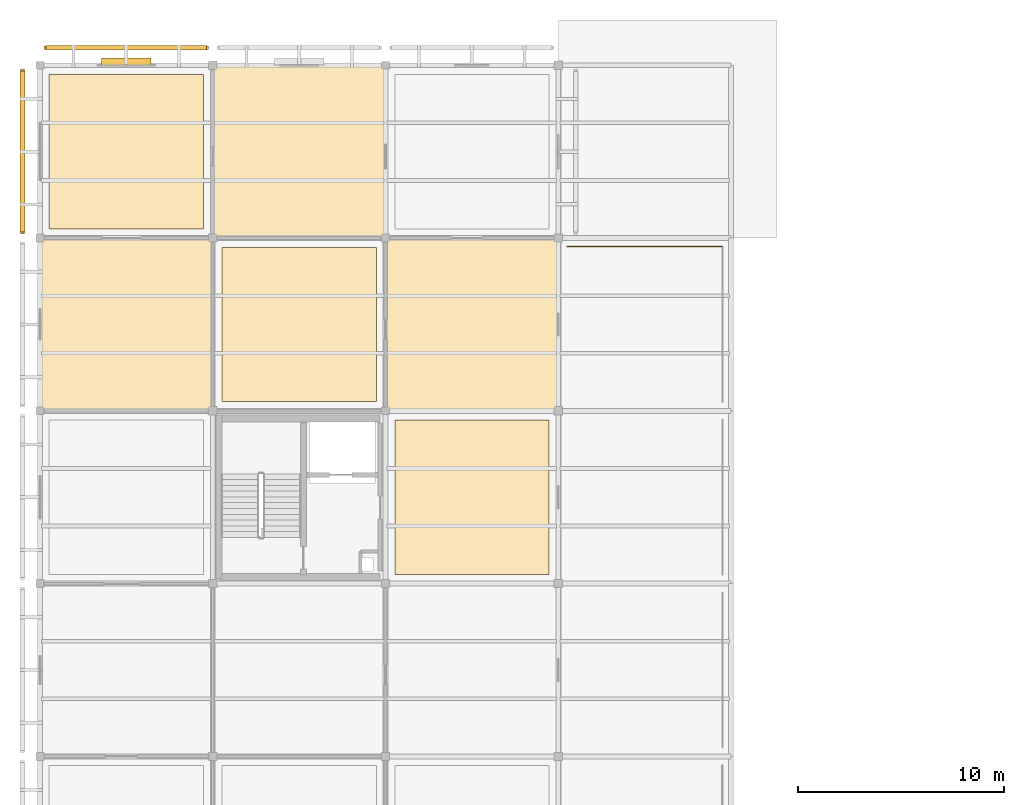
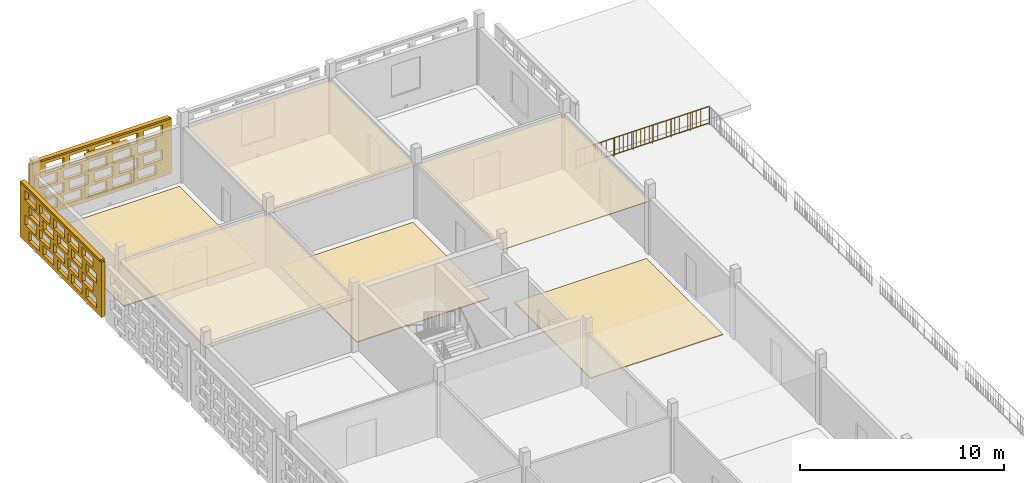
# One storey, part 29 of 31: 8 coverings, 3 shading devices, 1 railing, 40 openings.
"""IFC4 building model written with IfcOpenShell, lengths in metres."""

from ifc_helpers import new_model, si_unit, direction, frame, frame_2d, origin, origin_2d, place, context, subcontext, project, spatial, rectangle, circle, extrude, material, layer, layer_set, type_object, element, save


model = new_model("IFC4")

# Units and contexts
model_context = context("Model", 3, precision=1e-05, world=origin(), true_north=direction((0.0, 1.0)))
body_context = subcontext(model_context, "Body", "Model", "MODEL_VIEW")
ifc_project = project(units=[si_unit("LENGTHUNIT", "METRE"), si_unit("AREAUNIT", "SQUARE_METRE"), si_unit("VOLUMEUNIT", "CUBIC_METRE"), si_unit("PLANEANGLEUNIT", "RADIAN"), si_unit("MASSUNIT", "GRAM", prefix="KILO")], contexts=[model_context])

# Site, building, storey
site_placement = place(None, origin())
site = spatial("IfcSite", under=ifc_project, at=site_placement, CompositionType="ELEMENT")
building_placement = place(site_placement, origin())
building = spatial("IfcBuilding", under=site, at=building_placement, Name="Varnapada Polytechnic", CompositionType="ELEMENT")
storey_placement = place(building_placement, frame((0.0, 0.0, 22.199951171875)))
storey = spatial("IfcBuildingStorey", under=building, at=storey_placement, Name="L05", CompositionType="ELEMENT", Elevation=22.199951171875)

# Coverings
ifc_material_1 = material(Name="End-Grain Timber Studio Block Flooring", Category="wood")
ifc_layer_1 = layer(ifc_material_1, 0.054931640625)
ifc_layer_set_1 = layer_set([ifc_layer_1], Name="End-Grain Timber Studio Block Flooring")
covering_type_1 = type_object("IfcCoveringType", Name="Floor Finish FLR-04", PredefinedType="FLOORING", material=ifc_layer_set_1)
for number, where, z_axis, x_axis, name in (
    (1, (4.199951171875, 121.800048828125, 0.0), (0.0, 0.0, 1.0), (1.0, 0.0, 0.0), "L05 floor finish panel (1,15)"),
    (2, (12.60009765625, 113.39990234375, 0.0), (0.0, 0.0, 1.0), (1.0, 0.0, 0.0), "L05 floor finish panel (2,14)"),
):
    element("IfcCovering", number, at=place(storey_placement, frame(where, z_axis=z_axis, x_axis=x_axis)), inside=storey, type_object=covering_type_1, Name=name, PredefinedType="FLOORING", context=body_context, shape_type="SweptSolid", body=[
        extrude(rectangle(XDim=7.5, YDim=7.5, at=origin_2d()), origin(), (0.0, 0.0, 1.0), 0.054931640625),
    ])
ifc_material_2 = material(Name="Acoustic Rubber Seminar Flooring")
ifc_layer_2 = layer(ifc_material_2, 0.0400390625)
ifc_layer_set_2 = layer_set([ifc_layer_2], Name="Acoustic Rubber Seminar Flooring")
covering_type_2 = type_object("IfcCoveringType", Name="Floor Finish FLR-06", PredefinedType="FLOORING", material=ifc_layer_set_2)
covering_1_placement = place(storey_placement, frame((21.0, 105.0, 0.0), z_axis=(0.0, 0.0, 1.0), x_axis=(1.0, 0.0, 0.0)))
element("IfcCovering", 3, at=covering_1_placement, inside=storey, type_object=covering_type_2, Name="L05 floor finish panel (3,13)", PredefinedType="FLOORING", context=body_context, shape_type="SweptSolid", body=[
    extrude(rectangle(XDim=7.5, YDim=7.5, at=origin_2d()), origin(), (0.0, 0.0, 1.0), 0.0400390625),
])

# Shading device
ifc_material_3 = material(Name="Anodised aluminium", Category="aluminium")
ifc_layer_3 = layer(ifc_material_3, 0.35009765625)
ifc_layer_set_3 = layer_set([ifc_layer_3], Name="Anodised aluminium")
shading_device_type_1 = type_object("IfcShadingDeviceType", Name="Solar Louvre LVR-01", PredefinedType="JALOUSIE", material=ifc_layer_set_3)
shading_device_1_placement = place(storey_placement, frame((4.195068359375, 126.179931640625, 3.159912109375), z_axis=(0.0, 0.0, 1.0), x_axis=(1.0, 0.0, 0.0)))
element("IfcShadingDevice", 4, at=shading_device_1_placement, inside=storey, type_object=shading_device_type_1, Name="L05 aluminium sun louvre 10", PredefinedType="JALOUSIE", context=body_context, shape_type="SweptSolid", body=[
    extrude(rectangle(XDim=2.39990234375, YDim=0.340087890625, at=origin_2d()), origin(), (0.0, 0.0, 1.0), 0.1201171875),
])

# Coverings
ifc_material_4 = material(Name="Perforated Timber Slatted Baffle Ceiling", Category="wood")
ifc_layer_4 = layer(ifc_material_4, 0.050048828125)
ifc_layer_set_4 = layer_set([ifc_layer_4], Name="Perforated Timber Slatted Baffle Ceiling")
covering_type_3 = type_object("IfcCoveringType", Name="Suspended Ceiling CLG-02", PredefinedType="CEILING", material=ifc_layer_set_4)
covering_2_placement = place(storey_placement, frame((4.199951171875, 113.39990234375, 3.02490234375), z_axis=(0.0, 0.0, 1.0), x_axis=(1.0, 0.0, 0.0)))
element("IfcCovering", 5, at=covering_2_placement, inside=storey, type_object=covering_type_3, Name="L05 suspended acoustic ceiling (1,14)", PredefinedType="CEILING", context=body_context, shape_type="SweptSolid", body=[
    extrude(rectangle(XDim=8.419921875, YDim=8.419921875, at=origin_2d()), origin(), (0.0, 0.0, 1.0), 0.050048828125),
])
ifc_material_5 = material(Name="Moisture-Resistant Aluminum Baffle Ceiling", Category="aluminium")
ifc_layer_5 = layer(ifc_material_5, 0.030029296875)
ifc_layer_set_5 = layer_set([ifc_layer_5], Name="Moisture-Resistant Aluminum Baffle Ceiling")
covering_type_4 = type_object("IfcCoveringType", Name="Suspended Ceiling CLG-03", PredefinedType="CEILING", material=ifc_layer_set_5)
covering_3_placement = place(storey_placement, frame((12.60009765625, 121.800048828125, 3.03515625), z_axis=(0.0, 0.0, 1.0), x_axis=(1.0, 0.0, 0.0)))
element("IfcCovering", 6, at=covering_3_placement, inside=storey, type_object=covering_type_4, Name="L05 suspended acoustic ceiling (2,15)", PredefinedType="CEILING", context=body_context, shape_type="SweptSolid", body=[
    extrude(rectangle(XDim=8.419921875, YDim=8.419921875, at=origin_2d()), origin(), (0.0, 0.0, 1.0), 0.030029296875),
])
ifc_material_6 = material(Name="Micro-Perforated Gypsum Acoustic Ceiling")
ifc_layer_6 = layer(ifc_material_6, 0.044921875)
ifc_layer_set_6 = layer_set([ifc_layer_6], Name="Micro-Perforated Gypsum Acoustic Ceiling")
covering_type_5 = type_object("IfcCoveringType", Name="Suspended Ceiling CLG-04", PredefinedType="CEILING", material=ifc_layer_set_6)
covering_4_placement = place(storey_placement, frame((21.0, 113.39990234375, 3.027587890625), z_axis=(0.0, 0.0, 1.0), x_axis=(1.0, 0.0, 0.0)))
element("IfcCovering", 7, at=covering_4_placement, inside=storey, type_object=covering_type_5, Name="L05 suspended acoustic ceiling (3,14)", PredefinedType="CEILING", context=body_context, shape_type="SweptSolid", body=[
    extrude(rectangle(XDim=8.419921875, YDim=8.419921875, at=origin_2d()), origin(), (0.0, 0.0, 1.0), 0.044921875),
])

# Railing
ifc_material_7 = material(Name="Painted galvanized steel", Category="steel")
railing_type = type_object("IfcRailingType", Name="Terrace Guard Rail GRD-01", PredefinedType="BALUSTRADE", material=ifc_material_7)
railing_placement = place(storey_placement, frame((25.6201171875, 117.179931640625, 0.0)))
element("IfcRailing", 8, at=railing_placement, inside=storey, type_object=railing_type, Name="L05 terrace perimeter guard rail 8", PredefinedType="BALUSTRADE", context=body_context, shape_type="SweptSolid", body=[
    extrude(circle(Radius=0.02392578125, at=origin_2d()), frame((0.0, 0.0, 1.09619140625), z_axis=(1.0, 0.0, 0.0), x_axis=(0.0, 1.0, 0.0)), (0.0, 0.0, 1.0), 7.559814453125),
    extrude(circle(Radius=0.02392578125, at=origin_2d()), frame((0.0, 0.0, 0.10009765625), z_axis=(1.0, 0.0, 0.0), x_axis=(0.0, 1.0, 0.0)), (0.0, 0.0, 1.0), 7.559814453125),
    extrude(circle(Radius=0.02099609375, at=origin_2d()), origin(), (0.0, 0.0, 1.0), 1.072021484375),
    extrude(circle(Radius=0.02099609375, at=origin_2d()), frame((1.080078125, 0.0, 0.0)), (0.0, 0.0, 1.0), 1.072021484375),
    extrude(circle(Radius=0.02099609375, at=origin_2d()), frame((2.159912109375, 0.0, 0.0)), (0.0, 0.0, 1.0), 1.072021484375),
    extrude(circle(Radius=0.02099609375, at=origin_2d()), frame((3.239990234375, 0.0, 0.0)), (0.0, 0.0, 1.0), 1.072021484375),
    extrude(circle(Radius=0.02099609375, at=origin_2d()), frame((4.31982421875, 0.0, 0.0)), (0.0, 0.0, 1.0), 1.072021484375),
    extrude(circle(Radius=0.02099609375, at=origin_2d()), frame((5.39990234375, 0.0, 0.0)), (0.0, 0.0, 1.0), 1.072021484375),
    extrude(circle(Radius=0.02099609375, at=origin_2d()), frame((6.479736328125, 0.0, 0.0)), (0.0, 0.0, 1.0), 1.072021484375),
    extrude(circle(Radius=0.02099609375, at=origin_2d()), frame((7.559814453125, 0.0, 0.0)), (0.0, 0.0, 1.0), 1.072021484375),
    extrude(circle(Radius=0.010009765625, at=origin_2d()), frame((0.243896484375, 0.0, 0.10009765625)), (0.0, 0.0, 1.0), 0.971923828125),
    extrude(circle(Radius=0.010009765625, at=origin_2d()), frame((0.48779296875, 0.0, 0.10009765625)), (0.0, 0.0, 1.0), 0.971923828125),
    extrude(circle(Radius=0.010009765625, at=origin_2d()), frame((0.731689453125, 0.0, 0.10009765625)), (0.0, 0.0, 1.0), 0.971923828125),
    extrude(circle(Radius=0.010009765625, at=origin_2d()), frame((0.975341796875, 0.0, 0.10009765625)), (0.0, 0.0, 1.0), 0.971923828125),
    extrude(circle(Radius=0.010009765625, at=origin_2d()), frame((1.21923828125, 0.0, 0.10009765625)), (0.0, 0.0, 1.0), 0.971923828125),
    extrude(circle(Radius=0.010009765625, at=origin_2d()), frame((1.463134765625, 0.0, 0.10009765625)), (0.0, 0.0, 1.0), 0.971923828125),
    extrude(circle(Radius=0.010009765625, at=origin_2d()), frame((1.70703125, 0.0, 0.10009765625)), (0.0, 0.0, 1.0), 0.971923828125),
    extrude(circle(Radius=0.010009765625, at=origin_2d()), frame((1.950927734375, 0.0, 0.10009765625)), (0.0, 0.0, 1.0), 0.971923828125),
    extrude(circle(Radius=0.010009765625, at=origin_2d()), frame((2.19482421875, 0.0, 0.10009765625)), (0.0, 0.0, 1.0), 0.971923828125),
    extrude(circle(Radius=0.010009765625, at=origin_2d()), frame((2.438720703125, 0.0, 0.10009765625)), (0.0, 0.0, 1.0), 0.971923828125),
    extrude(circle(Radius=0.010009765625, at=origin_2d()), frame((2.6826171875, 0.0, 0.10009765625)), (0.0, 0.0, 1.0), 0.971923828125),
    extrude(circle(Radius=0.010009765625, at=origin_2d()), frame((2.92626953125, 0.0, 0.10009765625)), (0.0, 0.0, 1.0), 0.971923828125),
    extrude(circle(Radius=0.010009765625, at=origin_2d()), frame((3.170166015625, 0.0, 0.10009765625)), (0.0, 0.0, 1.0), 0.971923828125),
    extrude(circle(Radius=0.010009765625, at=origin_2d()), frame((3.4140625, 0.0, 0.10009765625)), (0.0, 0.0, 1.0), 0.971923828125),
    extrude(circle(Radius=0.010009765625, at=origin_2d()), frame((3.657958984375, 0.0, 0.10009765625)), (0.0, 0.0, 1.0), 0.971923828125),
    extrude(circle(Radius=0.010009765625, at=origin_2d()), frame((3.90185546875, 0.0, 0.10009765625)), (0.0, 0.0, 1.0), 0.971923828125),
    extrude(circle(Radius=0.010009765625, at=origin_2d()), frame((4.145751953125, 0.0, 0.10009765625)), (0.0, 0.0, 1.0), 0.971923828125),
    extrude(circle(Radius=0.010009765625, at=origin_2d()), frame((4.3896484375, 0.0, 0.10009765625)), (0.0, 0.0, 1.0), 0.971923828125),
    extrude(circle(Radius=0.010009765625, at=origin_2d()), frame((4.633544921875, 0.0, 0.10009765625)), (0.0, 0.0, 1.0), 0.971923828125),
    extrude(circle(Radius=0.010009765625, at=origin_2d()), frame((4.877197265625, 0.0, 0.10009765625)), (0.0, 0.0, 1.0), 0.971923828125),
    extrude(circle(Radius=0.010009765625, at=origin_2d()), frame((5.12109375, 0.0, 0.10009765625)), (0.0, 0.0, 1.0), 0.971923828125),
    extrude(circle(Radius=0.010009765625, at=origin_2d()), frame((5.364990234375, 0.0, 0.10009765625)), (0.0, 0.0, 1.0), 0.971923828125),
    extrude(circle(Radius=0.010009765625, at=origin_2d()), frame((5.60888671875, 0.0, 0.10009765625)), (0.0, 0.0, 1.0), 0.971923828125),
    extrude(circle(Radius=0.010009765625, at=origin_2d()), frame((5.852783203125, 0.0, 0.10009765625)), (0.0, 0.0, 1.0), 0.971923828125),
    extrude(circle(Radius=0.010009765625, at=origin_2d()), frame((6.0966796875, 0.0, 0.10009765625)), (0.0, 0.0, 1.0), 0.971923828125),
    extrude(circle(Radius=0.010009765625, at=origin_2d()), frame((6.340576171875, 0.0, 0.10009765625)), (0.0, 0.0, 1.0), 0.971923828125),
    extrude(circle(Radius=0.010009765625, at=origin_2d()), frame((6.58447265625, 0.0, 0.10009765625)), (0.0, 0.0, 1.0), 0.971923828125),
    extrude(circle(Radius=0.010009765625, at=origin_2d()), frame((6.828125, 0.0, 0.10009765625)), (0.0, 0.0, 1.0), 0.971923828125),
    extrude(circle(Radius=0.010009765625, at=origin_2d()), frame((7.072021484375, 0.0, 0.10009765625)), (0.0, 0.0, 1.0), 0.971923828125),
    extrude(circle(Radius=0.010009765625, at=origin_2d()), frame((7.31591796875, 0.0, 0.10009765625)), (0.0, 0.0, 1.0), 0.971923828125),
])

# Covering, openings
ifc_material_8 = material(Name="Earth-toned architectural terracotta screen block", Category="masonry")
ifc_layer_7 = layer(ifc_material_8, 0.1201171875)
ifc_layer_set_7 = layer_set([ifc_layer_7], Name="Earth-toned architectural terracotta screen block")
covering_type_6 = type_object("IfcCoveringType", Name="Terracotta Screen Cladding CLD-01", PredefinedType="CLADDING", material=ifc_layer_set_7)
covering_5_placement = place(storey_placement, frame((0.18994140625, 126.85009765625, 0.0), z_axis=(0.0, 0.0, 1.0), x_axis=(1.0, 0.0, 0.0)))
covering_5 = element("IfcCovering", 9, at=covering_5_placement, inside=storey, type_object=covering_type_6, Name="L05 perforated terracotta block screen (10)", PredefinedType="CLADDING", context=body_context, shape_type="SweptSolid", body=[
    extrude(rectangle(XDim=8.010009765625, YDim=0.179931640625, at=frame_2d((4.0048828125, 0.0))), origin(), (0.0, 0.0, 1.0), 3.320068359375),
])
opening_1_placement = place(covering_5_placement, frame((0.5048828125, 0.0, 0.265625)))
element("IfcOpeningElement", 10, at=opening_1_placement, cuts=covering_5, Name="Screen perforation TBS-L05-009.1", PredefinedType="OPENING", context=body_context, shape_type="SweptSolid", body=[
    extrude(rectangle(XDim=1.0400390625, YDim=0.5810546875, at=frame_2d((0.52001953125, 0.29052734375))), frame((0.0, 0.099853515625, 0.0), z_axis=(0.0, -1.0, 0.0), x_axis=(1.0, 0.0, 0.0)), (0.0, 0.0, 1.0), 0.199951171875),
])
opening_2_placement = place(covering_5_placement, frame((1.905029296875, 0.0, 0.265625)))
element("IfcOpeningElement", 11, at=opening_2_placement, cuts=covering_5, Name="Screen perforation TBS-L05-009.2", PredefinedType="OPENING", context=body_context, shape_type="SweptSolid", body=[
    extrude(rectangle(XDim=1.0400390625, YDim=0.5810546875, at=frame_2d((0.52001953125, 0.29052734375))), frame((0.0, 0.099853515625, 0.0), z_axis=(0.0, -1.0, 0.0), x_axis=(1.0, 0.0, 0.0)), (0.0, 0.0, 1.0), 0.199951171875),
])
opening_3_placement = place(covering_5_placement, frame((3.304931640625, 0.0, 0.265625)))
element("IfcOpeningElement", 12, at=opening_3_placement, cuts=covering_5, Name="Screen perforation TBS-L05-009.3", PredefinedType="OPENING", context=body_context, shape_type="SweptSolid", body=[
    extrude(rectangle(XDim=1.0400390625, YDim=0.5810546875, at=frame_2d((0.52001953125, 0.29052734375))), frame((0.0, 0.099853515625, 0.0), z_axis=(0.0, -1.0, 0.0), x_axis=(1.0, 0.0, 0.0)), (0.0, 0.0, 1.0), 0.199951171875),
])
opening_4_placement = place(covering_5_placement, frame((4.705078125, 0.0, 0.265625)))
element("IfcOpeningElement", 13, at=opening_4_placement, cuts=covering_5, Name="Screen perforation TBS-L05-009.4", PredefinedType="OPENING", context=body_context, shape_type="SweptSolid", body=[
    extrude(rectangle(XDim=1.0400390625, YDim=0.5810546875, at=frame_2d((0.52001953125, 0.29052734375))), frame((0.0, 0.099853515625, 0.0), z_axis=(0.0, -1.0, 0.0), x_axis=(1.0, 0.0, 0.0)), (0.0, 0.0, 1.0), 0.199951171875),
])
opening_5_placement = place(covering_5_placement, frame((6.10498046875, 0.0, 0.265625)))
element("IfcOpeningElement", 14, at=opening_5_placement, cuts=covering_5, Name="Screen perforation TBS-L05-009.5", PredefinedType="OPENING", context=body_context, shape_type="SweptSolid", body=[
    extrude(rectangle(XDim=1.0400390625, YDim=0.5810546875, at=frame_2d((0.52001953125, 0.29052734375))), frame((0.0, 0.099853515625, 0.0), z_axis=(0.0, -1.0, 0.0), x_axis=(1.0, 0.0, 0.0)), (0.0, 0.0, 1.0), 0.199951171875),
])
opening_6_placement = place(covering_5_placement, frame((0.864990234375, 0.0, 1.0126953125)))
element("IfcOpeningElement", 15, at=opening_6_placement, cuts=covering_5, Name="Screen perforation TBS-L05-009.6", PredefinedType="OPENING", context=body_context, shape_type="SweptSolid", body=[
    extrude(rectangle(XDim=1.0400390625, YDim=0.5810546875, at=frame_2d((0.52001953125, 0.29052734375))), frame((0.0, 0.099853515625, 0.0), z_axis=(0.0, -1.0, 0.0), x_axis=(1.0, 0.0, 0.0)), (0.0, 0.0, 1.0), 0.199951171875),
])
opening_7_placement = place(covering_5_placement, frame((2.264892578125, 0.0, 1.0126953125)))
element("IfcOpeningElement", 16, at=opening_7_placement, cuts=covering_5, Name="Screen perforation TBS-L05-009.7", PredefinedType="OPENING", context=body_context, shape_type="SweptSolid", body=[
    extrude(rectangle(XDim=1.0400390625, YDim=0.5810546875, at=frame_2d((0.52001953125, 0.29052734375))), frame((0.0, 0.099853515625, 0.0), z_axis=(0.0, -1.0, 0.0), x_axis=(1.0, 0.0, 0.0)), (0.0, 0.0, 1.0), 0.199951171875),
])
opening_8_placement = place(covering_5_placement, frame((3.6650390625, 0.0, 1.0126953125)))
element("IfcOpeningElement", 17, at=opening_8_placement, cuts=covering_5, Name="Screen perforation TBS-L05-009.8", PredefinedType="OPENING", context=body_context, shape_type="SweptSolid", body=[
    extrude(rectangle(XDim=1.0400390625, YDim=0.5810546875, at=frame_2d((0.52001953125, 0.29052734375))), frame((0.0, 0.099853515625, 0.0), z_axis=(0.0, -1.0, 0.0), x_axis=(1.0, 0.0, 0.0)), (0.0, 0.0, 1.0), 0.199951171875),
])
opening_9_placement = place(covering_5_placement, frame((5.06494140625, 0.0, 1.0126953125)))
element("IfcOpeningElement", 18, at=opening_9_placement, cuts=covering_5, Name="Screen perforation TBS-L05-009.9", PredefinedType="OPENING", context=body_context, shape_type="SweptSolid", body=[
    extrude(rectangle(XDim=1.0400390625, YDim=0.5810546875, at=frame_2d((0.52001953125, 0.29052734375))), frame((0.0, 0.099853515625, 0.0), z_axis=(0.0, -1.0, 0.0), x_axis=(1.0, 0.0, 0.0)), (0.0, 0.0, 1.0), 0.199951171875),
])
opening_10_placement = place(covering_5_placement, frame((6.465087890625, 0.0, 1.0126953125)))
element("IfcOpeningElement", 19, at=opening_10_placement, cuts=covering_5, Name="Screen perforation TBS-L05-009.10", PredefinedType="OPENING", context=body_context, shape_type="SweptSolid", body=[
    extrude(rectangle(XDim=1.0400390625, YDim=0.5810546875, at=frame_2d((0.52001953125, 0.29052734375))), frame((0.0, 0.099853515625, 0.0), z_axis=(0.0, -1.0, 0.0), x_axis=(1.0, 0.0, 0.0)), (0.0, 0.0, 1.0), 0.199951171875),
])
opening_11_placement = place(covering_5_placement, frame((0.5048828125, 0.0, 1.759521484375)))
element("IfcOpeningElement", 20, at=opening_11_placement, cuts=covering_5, Name="Screen perforation TBS-L05-009.11", PredefinedType="OPENING", context=body_context, shape_type="SweptSolid", body=[
    extrude(rectangle(XDim=1.0400390625, YDim=0.5810546875, at=frame_2d((0.52001953125, 0.29052734375))), frame((0.0, 0.099853515625, 0.0), z_axis=(0.0, -1.0, 0.0), x_axis=(1.0, 0.0, 0.0)), (0.0, 0.0, 1.0), 0.199951171875),
])
opening_12_placement = place(covering_5_placement, frame((1.905029296875, 0.0, 1.759521484375)))
element("IfcOpeningElement", 21, at=opening_12_placement, cuts=covering_5, Name="Screen perforation TBS-L05-009.12", PredefinedType="OPENING", context=body_context, shape_type="SweptSolid", body=[
    extrude(rectangle(XDim=1.0400390625, YDim=0.5810546875, at=frame_2d((0.52001953125, 0.29052734375))), frame((0.0, 0.099853515625, 0.0), z_axis=(0.0, -1.0, 0.0), x_axis=(1.0, 0.0, 0.0)), (0.0, 0.0, 1.0), 0.199951171875),
])
opening_13_placement = place(covering_5_placement, frame((3.304931640625, 0.0, 1.759521484375)))
element("IfcOpeningElement", 22, at=opening_13_placement, cuts=covering_5, Name="Screen perforation TBS-L05-009.13", PredefinedType="OPENING", context=body_context, shape_type="SweptSolid", body=[
    extrude(rectangle(XDim=1.0400390625, YDim=0.5810546875, at=frame_2d((0.52001953125, 0.29052734375))), frame((0.0, 0.099853515625, 0.0), z_axis=(0.0, -1.0, 0.0), x_axis=(1.0, 0.0, 0.0)), (0.0, 0.0, 1.0), 0.199951171875),
])
opening_14_placement = place(covering_5_placement, frame((4.705078125, 0.0, 1.759521484375)))
element("IfcOpeningElement", 23, at=opening_14_placement, cuts=covering_5, Name="Screen perforation TBS-L05-009.14", PredefinedType="OPENING", context=body_context, shape_type="SweptSolid", body=[
    extrude(rectangle(XDim=1.0400390625, YDim=0.5810546875, at=frame_2d((0.52001953125, 0.29052734375))), frame((0.0, 0.099853515625, 0.0), z_axis=(0.0, -1.0, 0.0), x_axis=(1.0, 0.0, 0.0)), (0.0, 0.0, 1.0), 0.199951171875),
])
opening_15_placement = place(covering_5_placement, frame((6.10498046875, 0.0, 1.759521484375)))
element("IfcOpeningElement", 24, at=opening_15_placement, cuts=covering_5, Name="Screen perforation TBS-L05-009.15", PredefinedType="OPENING", context=body_context, shape_type="SweptSolid", body=[
    extrude(rectangle(XDim=1.0400390625, YDim=0.5810546875, at=frame_2d((0.52001953125, 0.29052734375))), frame((0.0, 0.099853515625, 0.0), z_axis=(0.0, -1.0, 0.0), x_axis=(1.0, 0.0, 0.0)), (0.0, 0.0, 1.0), 0.199951171875),
])
opening_16_placement = place(covering_5_placement, frame((0.864990234375, 0.0, 2.506591796875)))
element("IfcOpeningElement", 25, at=opening_16_placement, cuts=covering_5, Name="Screen perforation TBS-L05-009.16", PredefinedType="OPENING", context=body_context, shape_type="SweptSolid", body=[
    extrude(rectangle(XDim=1.0400390625, YDim=0.5810546875, at=frame_2d((0.52001953125, 0.29052734375))), frame((0.0, 0.099853515625, 0.0), z_axis=(0.0, -1.0, 0.0), x_axis=(1.0, 0.0, 0.0)), (0.0, 0.0, 1.0), 0.199951171875),
])
opening_17_placement = place(covering_5_placement, frame((2.264892578125, 0.0, 2.506591796875)))
element("IfcOpeningElement", 26, at=opening_17_placement, cuts=covering_5, Name="Screen perforation TBS-L05-009.17", PredefinedType="OPENING", context=body_context, shape_type="SweptSolid", body=[
    extrude(rectangle(XDim=1.0400390625, YDim=0.5810546875, at=frame_2d((0.52001953125, 0.29052734375))), frame((0.0, 0.099853515625, 0.0), z_axis=(0.0, -1.0, 0.0), x_axis=(1.0, 0.0, 0.0)), (0.0, 0.0, 1.0), 0.199951171875),
])
opening_18_placement = place(covering_5_placement, frame((3.6650390625, 0.0, 2.506591796875)))
element("IfcOpeningElement", 27, at=opening_18_placement, cuts=covering_5, Name="Screen perforation TBS-L05-009.18", PredefinedType="OPENING", context=body_context, shape_type="SweptSolid", body=[
    extrude(rectangle(XDim=1.0400390625, YDim=0.5810546875, at=frame_2d((0.52001953125, 0.29052734375))), frame((0.0, 0.099853515625, 0.0), z_axis=(0.0, -1.0, 0.0), x_axis=(1.0, 0.0, 0.0)), (0.0, 0.0, 1.0), 0.199951171875),
])
opening_19_placement = place(covering_5_placement, frame((5.06494140625, 0.0, 2.506591796875)))
element("IfcOpeningElement", 28, at=opening_19_placement, cuts=covering_5, Name="Screen perforation TBS-L05-009.19", PredefinedType="OPENING", context=body_context, shape_type="SweptSolid", body=[
    extrude(rectangle(XDim=1.0400390625, YDim=0.5810546875, at=frame_2d((0.52001953125, 0.29052734375))), frame((0.0, 0.099853515625, 0.0), z_axis=(0.0, -1.0, 0.0), x_axis=(1.0, 0.0, 0.0)), (0.0, 0.0, 1.0), 0.199951171875),
])
opening_20_placement = place(covering_5_placement, frame((6.465087890625, 0.0, 2.506591796875)))
element("IfcOpeningElement", 29, at=opening_20_placement, cuts=covering_5, Name="Screen perforation TBS-L05-009.20", PredefinedType="OPENING", context=body_context, shape_type="SweptSolid", body=[
    extrude(rectangle(XDim=1.0400390625, YDim=0.5810546875, at=frame_2d((0.52001953125, 0.29052734375))), frame((0.0, 0.099853515625, 0.0), z_axis=(0.0, -1.0, 0.0), x_axis=(1.0, 0.0, 0.0)), (0.0, 0.0, 1.0), 0.199951171875),
])

covering_6_placement = place(storey_placement, frame((-0.85009765625, 117.7900390625, 0.0), z_axis=(0.0, 0.0, 1.0), x_axis=(0.0, 1.0, 0.0)))
covering_6 = element("IfcCovering", 30, at=covering_6_placement, inside=storey, type_object=covering_type_6, Name="L05 perforated terracotta block screen (11)", PredefinedType="CLADDING", context=body_context, shape_type="SweptSolid", body=[
    extrude(rectangle(XDim=8.02001953125, YDim=0.179931640625, at=frame_2d((4.010009765625, 0.0))), origin(), (0.0, 0.0, 1.0), 3.320068359375),
])
opening_21_placement = place(covering_6_placement, frame((0.510009765625, 0.0, 0.265625)))
element("IfcOpeningElement", 31, at=opening_21_placement, cuts=covering_6, Name="Screen perforation TBS-L05-010.1", PredefinedType="OPENING", context=body_context, shape_type="SweptSolid", body=[
    extrude(rectangle(XDim=1.0400390625, YDim=0.5810546875, at=frame_2d((0.52001953125, 0.29052734375))), frame((0.0, 0.099853515625, 0.0), z_axis=(0.0, -1.0, 0.0), x_axis=(1.0, 0.0, 0.0)), (0.0, 0.0, 1.0), 0.199951171875),
])
opening_22_placement = place(covering_6_placement, frame((1.909912109375, 0.0, 0.265625)))
element("IfcOpeningElement", 32, at=opening_22_placement, cuts=covering_6, Name="Screen perforation TBS-L05-010.2", PredefinedType="OPENING", context=body_context, shape_type="SweptSolid", body=[
    extrude(rectangle(XDim=1.0400390625, YDim=0.5810546875, at=frame_2d((0.52001953125, 0.29052734375))), frame((0.0, 0.099853515625, 0.0), z_axis=(0.0, -1.0, 0.0), x_axis=(1.0, 0.0, 0.0)), (0.0, 0.0, 1.0), 0.199951171875),
])
opening_23_placement = place(covering_6_placement, frame((3.31005859375, 0.0, 0.265625)))
element("IfcOpeningElement", 33, at=opening_23_placement, cuts=covering_6, Name="Screen perforation TBS-L05-010.3", PredefinedType="OPENING", context=body_context, shape_type="SweptSolid", body=[
    extrude(rectangle(XDim=1.0400390625, YDim=0.5810546875, at=frame_2d((0.52001953125, 0.29052734375))), frame((0.0, 0.099853515625, 0.0), z_axis=(0.0, -1.0, 0.0), x_axis=(1.0, 0.0, 0.0)), (0.0, 0.0, 1.0), 0.199951171875),
])
opening_24_placement = place(covering_6_placement, frame((4.7099609375, 0.0, 0.265625)))
element("IfcOpeningElement", 34, at=opening_24_placement, cuts=covering_6, Name="Screen perforation TBS-L05-010.4", PredefinedType="OPENING", context=body_context, shape_type="SweptSolid", body=[
    extrude(rectangle(XDim=1.0400390625, YDim=0.5810546875, at=frame_2d((0.52001953125, 0.29052734375))), frame((0.0, 0.099853515625, 0.0), z_axis=(0.0, -1.0, 0.0), x_axis=(1.0, 0.0, 0.0)), (0.0, 0.0, 1.0), 0.199951171875),
])
opening_25_placement = place(covering_6_placement, frame((6.110107421875, 0.0, 0.265625)))
element("IfcOpeningElement", 35, at=opening_25_placement, cuts=covering_6, Name="Screen perforation TBS-L05-010.5", PredefinedType="OPENING", context=body_context, shape_type="SweptSolid", body=[
    extrude(rectangle(XDim=1.0400390625, YDim=0.5810546875, at=frame_2d((0.52001953125, 0.29052734375))), frame((0.0, 0.099853515625, 0.0), z_axis=(0.0, -1.0, 0.0), x_axis=(1.0, 0.0, 0.0)), (0.0, 0.0, 1.0), 0.199951171875),
])
opening_26_placement = place(covering_6_placement, frame((0.8701171875, 0.0, 1.0126953125)))
element("IfcOpeningElement", 36, at=opening_26_placement, cuts=covering_6, Name="Screen perforation TBS-L05-010.6", PredefinedType="OPENING", context=body_context, shape_type="SweptSolid", body=[
    extrude(rectangle(XDim=1.0400390625, YDim=0.5810546875, at=frame_2d((0.52001953125, 0.29052734375))), frame((0.0, 0.099853515625, 0.0), z_axis=(0.0, -1.0, 0.0), x_axis=(1.0, 0.0, 0.0)), (0.0, 0.0, 1.0), 0.199951171875),
])
opening_27_placement = place(covering_6_placement, frame((2.27001953125, 0.0, 1.0126953125)))
element("IfcOpeningElement", 37, at=opening_27_placement, cuts=covering_6, Name="Screen perforation TBS-L05-010.7", PredefinedType="OPENING", context=body_context, shape_type="SweptSolid", body=[
    extrude(rectangle(XDim=1.0400390625, YDim=0.5810546875, at=frame_2d((0.52001953125, 0.29052734375))), frame((0.0, 0.099853515625, 0.0), z_axis=(0.0, -1.0, 0.0), x_axis=(1.0, 0.0, 0.0)), (0.0, 0.0, 1.0), 0.199951171875),
])
opening_28_placement = place(covering_6_placement, frame((3.669921875, 0.0, 1.0126953125)))
element("IfcOpeningElement", 38, at=opening_28_placement, cuts=covering_6, Name="Screen perforation TBS-L05-010.8", PredefinedType="OPENING", context=body_context, shape_type="SweptSolid", body=[
    extrude(rectangle(XDim=1.0400390625, YDim=0.5810546875, at=frame_2d((0.52001953125, 0.29052734375))), frame((0.0, 0.099853515625, 0.0), z_axis=(0.0, -1.0, 0.0), x_axis=(1.0, 0.0, 0.0)), (0.0, 0.0, 1.0), 0.199951171875),
])
opening_29_placement = place(covering_6_placement, frame((5.070068359375, 0.0, 1.0126953125)))
element("IfcOpeningElement", 39, at=opening_29_placement, cuts=covering_6, Name="Screen perforation TBS-L05-010.9", PredefinedType="OPENING", context=body_context, shape_type="SweptSolid", body=[
    extrude(rectangle(XDim=1.0400390625, YDim=0.5810546875, at=frame_2d((0.52001953125, 0.29052734375))), frame((0.0, 0.099853515625, 0.0), z_axis=(0.0, -1.0, 0.0), x_axis=(1.0, 0.0, 0.0)), (0.0, 0.0, 1.0), 0.199951171875),
])
opening_30_placement = place(covering_6_placement, frame((6.469970703125, 0.0, 1.0126953125)))
element("IfcOpeningElement", 40, at=opening_30_placement, cuts=covering_6, Name="Screen perforation TBS-L05-010.10", PredefinedType="OPENING", context=body_context, shape_type="SweptSolid", body=[
    extrude(rectangle(XDim=1.0400390625, YDim=0.5810546875, at=frame_2d((0.52001953125, 0.29052734375))), frame((0.0, 0.099853515625, 0.0), z_axis=(0.0, -1.0, 0.0), x_axis=(1.0, 0.0, 0.0)), (0.0, 0.0, 1.0), 0.199951171875),
])
opening_31_placement = place(covering_6_placement, frame((0.510009765625, 0.0, 1.759521484375)))
element("IfcOpeningElement", 41, at=opening_31_placement, cuts=covering_6, Name="Screen perforation TBS-L05-010.11", PredefinedType="OPENING", context=body_context, shape_type="SweptSolid", body=[
    extrude(rectangle(XDim=1.0400390625, YDim=0.5810546875, at=frame_2d((0.52001953125, 0.29052734375))), frame((0.0, 0.099853515625, 0.0), z_axis=(0.0, -1.0, 0.0), x_axis=(1.0, 0.0, 0.0)), (0.0, 0.0, 1.0), 0.199951171875),
])
opening_32_placement = place(covering_6_placement, frame((1.909912109375, 0.0, 1.759521484375)))
element("IfcOpeningElement", 42, at=opening_32_placement, cuts=covering_6, Name="Screen perforation TBS-L05-010.12", PredefinedType="OPENING", context=body_context, shape_type="SweptSolid", body=[
    extrude(rectangle(XDim=1.0400390625, YDim=0.5810546875, at=frame_2d((0.52001953125, 0.29052734375))), frame((0.0, 0.099853515625, 0.0), z_axis=(0.0, -1.0, 0.0), x_axis=(1.0, 0.0, 0.0)), (0.0, 0.0, 1.0), 0.199951171875),
])
opening_33_placement = place(covering_6_placement, frame((3.31005859375, 0.0, 1.759521484375)))
element("IfcOpeningElement", 43, at=opening_33_placement, cuts=covering_6, Name="Screen perforation TBS-L05-010.13", PredefinedType="OPENING", context=body_context, shape_type="SweptSolid", body=[
    extrude(rectangle(XDim=1.0400390625, YDim=0.5810546875, at=frame_2d((0.52001953125, 0.29052734375))), frame((0.0, 0.099853515625, 0.0), z_axis=(0.0, -1.0, 0.0), x_axis=(1.0, 0.0, 0.0)), (0.0, 0.0, 1.0), 0.199951171875),
])
opening_34_placement = place(covering_6_placement, frame((4.7099609375, 0.0, 1.759521484375)))
element("IfcOpeningElement", 44, at=opening_34_placement, cuts=covering_6, Name="Screen perforation TBS-L05-010.14", PredefinedType="OPENING", context=body_context, shape_type="SweptSolid", body=[
    extrude(rectangle(XDim=1.0400390625, YDim=0.5810546875, at=frame_2d((0.52001953125, 0.29052734375))), frame((0.0, 0.099853515625, 0.0), z_axis=(0.0, -1.0, 0.0), x_axis=(1.0, 0.0, 0.0)), (0.0, 0.0, 1.0), 0.199951171875),
])
opening_35_placement = place(covering_6_placement, frame((6.110107421875, 0.0, 1.759521484375)))
element("IfcOpeningElement", 45, at=opening_35_placement, cuts=covering_6, Name="Screen perforation TBS-L05-010.15", PredefinedType="OPENING", context=body_context, shape_type="SweptSolid", body=[
    extrude(rectangle(XDim=1.0400390625, YDim=0.5810546875, at=frame_2d((0.52001953125, 0.29052734375))), frame((0.0, 0.099853515625, 0.0), z_axis=(0.0, -1.0, 0.0), x_axis=(1.0, 0.0, 0.0)), (0.0, 0.0, 1.0), 0.199951171875),
])
opening_36_placement = place(covering_6_placement, frame((0.8701171875, 0.0, 2.506591796875)))
element("IfcOpeningElement", 46, at=opening_36_placement, cuts=covering_6, Name="Screen perforation TBS-L05-010.16", PredefinedType="OPENING", context=body_context, shape_type="SweptSolid", body=[
    extrude(rectangle(XDim=1.0400390625, YDim=0.5810546875, at=frame_2d((0.52001953125, 0.29052734375))), frame((0.0, 0.099853515625, 0.0), z_axis=(0.0, -1.0, 0.0), x_axis=(1.0, 0.0, 0.0)), (0.0, 0.0, 1.0), 0.199951171875),
])
opening_37_placement = place(covering_6_placement, frame((2.27001953125, 0.0, 2.506591796875)))
element("IfcOpeningElement", 47, at=opening_37_placement, cuts=covering_6, Name="Screen perforation TBS-L05-010.17", PredefinedType="OPENING", context=body_context, shape_type="SweptSolid", body=[
    extrude(rectangle(XDim=1.0400390625, YDim=0.5810546875, at=frame_2d((0.52001953125, 0.29052734375))), frame((0.0, 0.099853515625, 0.0), z_axis=(0.0, -1.0, 0.0), x_axis=(1.0, 0.0, 0.0)), (0.0, 0.0, 1.0), 0.199951171875),
])
opening_38_placement = place(covering_6_placement, frame((3.669921875, 0.0, 2.506591796875)))
element("IfcOpeningElement", 48, at=opening_38_placement, cuts=covering_6, Name="Screen perforation TBS-L05-010.18", PredefinedType="OPENING", context=body_context, shape_type="SweptSolid", body=[
    extrude(rectangle(XDim=1.0400390625, YDim=0.5810546875, at=frame_2d((0.52001953125, 0.29052734375))), frame((0.0, 0.099853515625, 0.0), z_axis=(0.0, -1.0, 0.0), x_axis=(1.0, 0.0, 0.0)), (0.0, 0.0, 1.0), 0.199951171875),
])
opening_39_placement = place(covering_6_placement, frame((5.070068359375, 0.0, 2.506591796875)))
element("IfcOpeningElement", 49, at=opening_39_placement, cuts=covering_6, Name="Screen perforation TBS-L05-010.19", PredefinedType="OPENING", context=body_context, shape_type="SweptSolid", body=[
    extrude(rectangle(XDim=1.0400390625, YDim=0.5810546875, at=frame_2d((0.52001953125, 0.29052734375))), frame((0.0, 0.099853515625, 0.0), z_axis=(0.0, -1.0, 0.0), x_axis=(1.0, 0.0, 0.0)), (0.0, 0.0, 1.0), 0.199951171875),
])
opening_40_placement = place(covering_6_placement, frame((6.469970703125, 0.0, 2.506591796875)))
element("IfcOpeningElement", 50, at=opening_40_placement, cuts=covering_6, Name="Screen perforation TBS-L05-010.20", PredefinedType="OPENING", context=body_context, shape_type="SweptSolid", body=[
    extrude(rectangle(XDim=1.0400390625, YDim=0.5810546875, at=frame_2d((0.52001953125, 0.29052734375))), frame((0.0, 0.099853515625, 0.0), z_axis=(0.0, -1.0, 0.0), x_axis=(1.0, 0.0, 0.0)), (0.0, 0.0, 1.0), 0.199951171875),
])

# Shading devices
ifc_layer_8 = layer(ifc_material_8, 0.179931640625)
ifc_layer_set_8 = layer_set([ifc_layer_8], Name="Earth-toned architectural terracotta screen block")
shading_device_type_2 = type_object("IfcShadingDeviceType", Name="Terracotta Screen SCR-01", PredefinedType="USERDEFINED", material=ifc_layer_set_8)
shading_device_2_placement = place(storey_placement, frame((4.195068359375, 126.85009765625, 3.31005859375), z_axis=(0.0, 0.0, 1.0), x_axis=(1.0, 0.0, 0.0)))
element("IfcShadingDevice", 51, at=shading_device_2_placement, inside=storey, type_object=shading_device_type_2, Name="L05 perforated terracotta screen hood 485", ObjectType="SCREEN", PredefinedType="USERDEFINED", context=body_context, shape_type="SweptSolid", body=[
    extrude(rectangle(XDim=7.81005859375, YDim=0.239990234375, at=origin_2d()), origin(), (0.0, 0.0, 1.0), 0.10009765625),
])
shading_device_3_placement = place(storey_placement, frame((-0.85009765625, 121.800048828125, 3.31005859375), z_axis=(0.0, 0.0, 1.0), x_axis=(0.0, 1.0, 0.0)))
element("IfcShadingDevice", 52, at=shading_device_3_placement, inside=storey, type_object=shading_device_type_2, Name="L05 perforated terracotta screen hood 486", ObjectType="SCREEN", PredefinedType="USERDEFINED", context=body_context, shape_type="SweptSolid", body=[
    extrude(rectangle(XDim=7.820068359375, YDim=0.239990234375, at=origin_2d()), origin(), (0.0, 0.0, 1.0), 0.10009765625),
])

save(model, "model.ifc")
